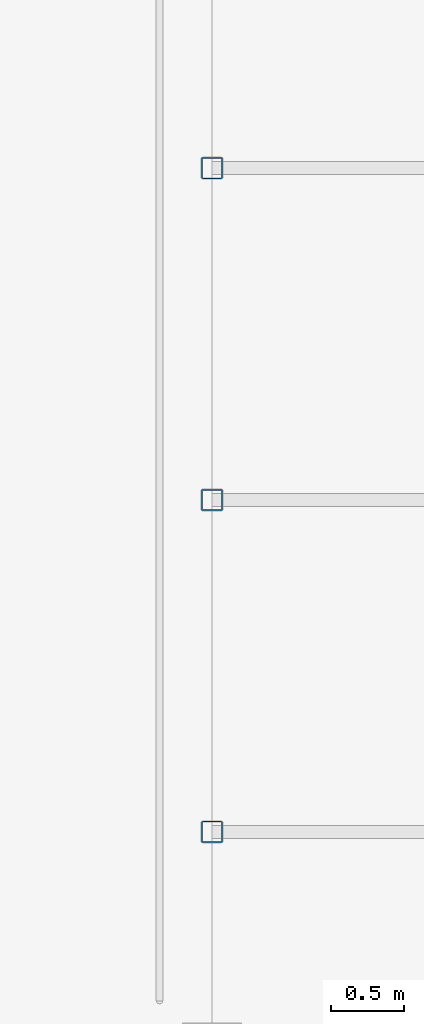
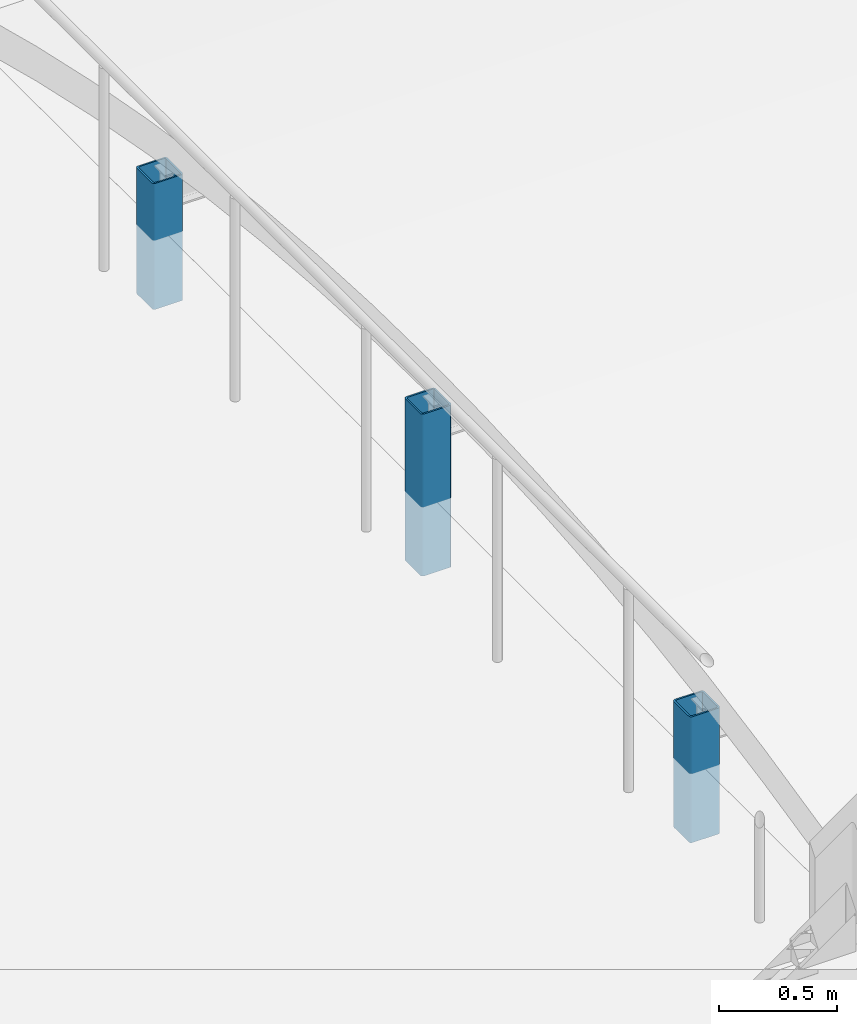
# One storey, part 27 of 46: 3 members.
"""IFC4 building model written with IfcOpenShell, lengths in metres."""

from ifc_helpers import new_model, si_unit, direction, frame, origin, origin_2d, place, context, subcontext, project, spatial, hollow_rectangle, extrude, material, material_profile, profile_set, type_object, element, save


model = new_model("IFC4")

# Units and contexts
model_context = context("Model", 3, precision=1e-05, world=origin(), true_north=direction((0.0, 1.0)))
body_context = subcontext(model_context, "Body", "Model", "MODEL_VIEW")
ifc_project = project(units=[si_unit("LENGTHUNIT", "METRE"), si_unit("AREAUNIT", "SQUARE_METRE"), si_unit("VOLUMEUNIT", "CUBIC_METRE"), si_unit("PLANEANGLEUNIT", "RADIAN"), si_unit("MASSUNIT", "GRAM", prefix="KILO")], contexts=[model_context])

# Site, building, storey
site_placement = place(None, origin())
site = spatial("IfcSite", under=ifc_project, at=site_placement, CompositionType="ELEMENT")
building_placement = place(site_placement, origin())
building = spatial("IfcBuilding", under=site, at=building_placement, Name="Shalkamar Park Central Library", CompositionType="ELEMENT")
storey_placement = place(building_placement, frame((0.0, 0.0, 20.39990234375)))
storey = spatial("IfcBuildingStorey", under=building, at=storey_placement, Name="L05", CompositionType="ELEMENT", Elevation=20.39990234375)

# Members
ifc_material = material(Name="Steel S355", Category="steel")
ifc_material_profile = material_profile(ifc_material, hollow_rectangle(XDim=0.14990234375, YDim=0.14990234375, WallThickness=0.008056640625, InnerFilletRadius=0.008056640625, OuterFilletRadius=0.011962890625, at=origin_2d()), Name="SHS 150x150x8")
ifc_profile_set = profile_set([ifc_material_profile], Name="Steel S355")
member_type = type_object("IfcMemberType", Name="Diagonal Brace SHS150", PredefinedType="BRACE", material=ifc_profile_set)
member_1_placement = place(storey_placement, frame((221.0, 294.719970703125, -0.35986328125), z_axis=(0.0, 0.0, 1.0), x_axis=(1.0, 0.0, 0.0)))
element("IfcMember", 1, at=member_1_placement, inside=storey, type_object=member_type, Name="Vault Arch Post BV-L04-N1-14.1", PredefinedType="BRACE", context=body_context, shape_type="SweptSolid", body=[
    extrude(hollow_rectangle(XDim=0.14990234375, YDim=0.14990234375, WallThickness=0.008056640625, InnerFilletRadius=0.008056640625, OuterFilletRadius=0.011962890625, at=origin_2d()), origin(), (0.0, 0.0, 1.0), 0.65283203125),
])
member_2_placement = place(storey_placement, frame((221.0, 297.0, -0.35986328125), z_axis=(0.0, 0.0, 1.0), x_axis=(1.0, 0.0, 0.0)))
element("IfcMember", 2, at=member_2_placement, inside=storey, type_object=member_type, Name="Vault Arch Post BV-L04-N1-14.2", PredefinedType="BRACE", context=body_context, shape_type="SweptSolid", body=[
    extrude(hollow_rectangle(XDim=0.14990234375, YDim=0.14990234375, WallThickness=0.008056640625, InnerFilletRadius=0.008056640625, OuterFilletRadius=0.011962890625, at=origin_2d()), origin(), (0.0, 0.0, 1.0), 0.83984375),
])
member_3_placement = place(storey_placement, frame((221.0, 299.280029296875, -0.35986328125), z_axis=(0.0, 0.0, 1.0), x_axis=(1.0, 0.0, 0.0)))
element("IfcMember", 3, at=member_3_placement, inside=storey, type_object=member_type, Name="Vault Arch Post BV-L04-N1-14.3", PredefinedType="BRACE", context=body_context, shape_type="SweptSolid", body=[
    extrude(hollow_rectangle(XDim=0.14990234375, YDim=0.14990234375, WallThickness=0.008056640625, InnerFilletRadius=0.008056640625, OuterFilletRadius=0.011962890625, at=origin_2d()), origin(), (0.0, 0.0, 1.0), 0.65283203125),
])

save(model, "model.ifc")
